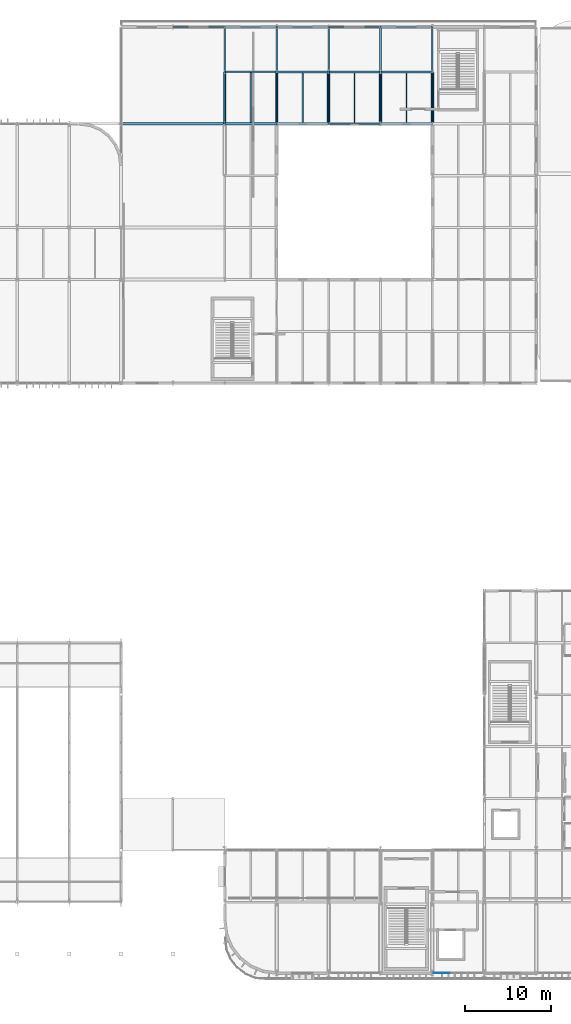
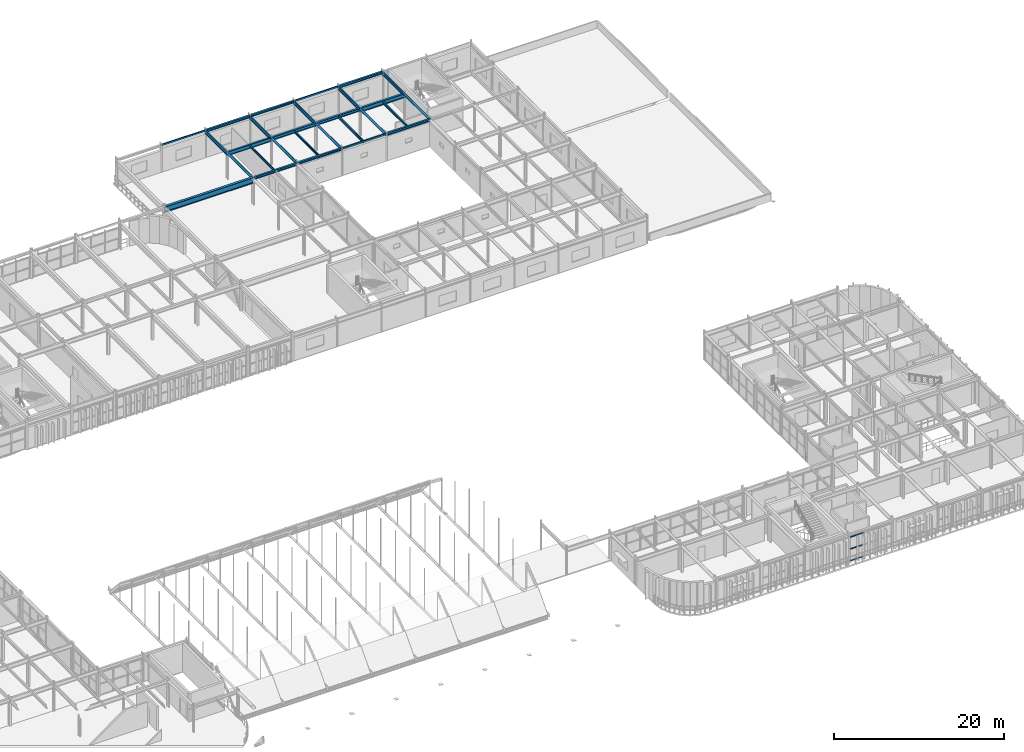
# One storey, part 71 of 116: 28 beams, 3 members, 1 element without a shape of its own.
"""IFC4 building model written with IfcOpenShell, lengths in metres."""

import ifcopenshell
import ifcopenshell.guid

model = None  # the IFC model being written
_history = None  # IfcOwnerHistory: only IFC2X3 demands one
_inside = {}  # id of a spatial element -> (the spatial element, [elements in it])
_under = {}  # id of a project, library or spatial element -> (it, [spatial elements below it])
_declared = {}  # id of a project -> (the project, [libraries it declares])
_typed = {}  # id of a type object -> (the type object, [elements of that type])
_made_of = {}  # id of a material, layer set ... -> (it, [elements and type objects made of it])


def new_model(schema):
    """Start an empty IFC model of exactly this schema.

    Asked for "IFC4X3", IfcOpenShell would pick the latest addendum, in which some entities
    have other attributes; the version numbers below select the first issue.
    IFC2X3 requires an IfcOwnerHistory on every rooted entity: one is made here for all.
    """
    global model, _history
    if schema == "IFC4X3":
        model = ifcopenshell.file(schema_version=(4, 3, 0, 0))
    else:
        model = ifcopenshell.file(schema=schema)
    _inside.clear()
    _under.clear()
    _declared.clear()
    _typed.clear()
    _made_of.clear()
    _history = None
    if model.schema == "IFC2X3":
        org = make("IfcOrganization", Name="unknown")
        user = make(
            "IfcPersonAndOrganization",
            ThePerson=make("IfcPerson", FamilyName="unknown"),
            TheOrganization=org,
        )
        app = make(
            "IfcApplication",
            ApplicationDeveloper=org,
            Version="unknown",
            ApplicationFullName="unknown",
            ApplicationIdentifier="unknown",
        )
        _history = make(
            "IfcOwnerHistory",
            OwningUser=user,
            OwningApplication=app,
            ChangeAction="ADDED",
            CreationDate=0,
        )
    return model


def make(cls, **values):
    """One entity of the class cls with the attributes given. An attribute that is None is left unset."""
    return model.create_entity(
        cls, **{name: value for name, value in values.items() if value is not None}
    )


def rooted(cls, **values):
    """An entity with a GlobalId (a new one), such as an element, a storey or a relation."""
    return make(cls, GlobalId=ifcopenshell.guid.new(), OwnerHistory=_history, **values)


def si_unit(unit_type, name, prefix=None):
    """IfcSIUnit, for example si_unit("LENGTHUNIT", "METRE", prefix="MILLI")."""
    return make("IfcSIUnit", UnitType=unit_type, Prefix=prefix, Name=name)


def assignment(units):
    """IfcUnitAssignment: the units of a project."""
    return None if units is None else make("IfcUnitAssignment", Units=units)


def point(xyz):
    """IfcCartesianPoint."""
    return None if xyz is None else make("IfcCartesianPoint", Coordinates=xyz)


def direction(xyz):
    """IfcDirection."""
    return None if xyz is None else make("IfcDirection", DirectionRatios=xyz)


def frame(location, z_axis=None, x_axis=None):
    """IfcAxis2Placement3D, a coordinate frame: its origin and axes. An axis left out is left unset."""
    return make(
        "IfcAxis2Placement3D",
        Location=point(location),
        Axis=direction(z_axis),
        RefDirection=direction(x_axis),
    )


def frame_2d(location, x_axis=None):
    """IfcAxis2Placement2D, a coordinate frame in the plane: its origin and x axis."""
    return make(
        "IfcAxis2Placement2D", Location=point(location), RefDirection=direction(x_axis)
    )


def origin():
    """The frame at (0, 0, 0) with its axes left unset."""
    return frame((0.0, 0.0, 0.0))


def origin_2d():
    """The frame at (0, 0) in the plane with its x axis left unset."""
    return frame_2d((0.0, 0.0))


def place(relative_to, where):
    """IfcLocalPlacement: puts the frame where relative to a parent placement (None: the world)."""
    return make(
        "IfcLocalPlacement", PlacementRelTo=relative_to, RelativePlacement=where
    )


def context(
    kind, dimensions, precision=None, world=None, true_north=None, identifier=None
):
    """IfcGeometricRepresentationContext, for example the 3D "Model" context."""
    return make(
        "IfcGeometricRepresentationContext",
        ContextIdentifier=identifier,
        ContextType=kind,
        CoordinateSpaceDimension=dimensions,
        Precision=precision,
        WorldCoordinateSystem=world,
        TrueNorth=true_north,
    )


def subcontext(parent, identifier, kind, view, scale=None):
    """IfcGeometricRepresentationSubContext, for example "Body" below "Model"."""
    return make(
        "IfcGeometricRepresentationSubContext",
        ContextIdentifier=identifier,
        ContextType=kind,
        ParentContext=parent,
        TargetScale=scale,
        TargetView=view,
    )


def project(units=None, contexts=None):
    """IfcProject with its units and contexts."""
    return rooted(
        "IfcProject",
        Name="project",
        RepresentationContexts=contexts,
        UnitsInContext=assignment(units),
    )


def spatial(cls, under=None, at=None, **own):
    """A site, building, storey or space (cls), placed at a placement, below another one or the project."""
    s = rooted(cls, ObjectPlacement=at, **own)
    if under is not None:
        _under.setdefault(under.id(), (under, []))[1].append(s)
    return s


def profile(cls, at=None, kind="AREA", **sizes):
    """A parametric profile (cls). Its sizes go by their IFC names, for example OverallWidth=200.0."""
    return make(cls, ProfileType=kind, Position=at, **sizes)


def rectangle(**sizes):
    """IfcRectangleProfileDef."""
    return profile("IfcRectangleProfileDef", **sizes)


def hollow_rectangle(**sizes):
    """IfcRectangleHollowProfileDef."""
    return profile("IfcRectangleHollowProfileDef", **sizes)


def hollow_circle(**sizes):
    """IfcCircleHollowProfileDef."""
    return profile("IfcCircleHollowProfileDef", **sizes)


def i_section(**sizes):
    """IfcIShapeProfileDef."""
    return profile("IfcIShapeProfileDef", **sizes)


def extrude(swept, where, along, depth):
    """IfcExtrudedAreaSolid: the profile swept, set in the frame where, extruded along a direction by depth."""
    return make(
        "IfcExtrudedAreaSolid",
        SweptArea=swept,
        Position=where,
        ExtrudedDirection=direction(along),
        Depth=depth,
    )


def shape(context_of_items, identifier, shape_type, items):
    """IfcShapeRepresentation: the items that make up one representation, for example the "Body"."""
    return make(
        "IfcShapeRepresentation",
        ContextOfItems=context_of_items,
        RepresentationIdentifier=identifier,
        RepresentationType=shape_type,
        Items=items,
    )


def material(Name=None, Category=None):
    """IfcMaterial."""
    return make("IfcMaterial", Name=Name, Category=Category)


def material_profile(
    of_material, cross_section, Name=None, Category=None, Priority=None
):
    """IfcMaterialProfile: a cross section and its material."""
    return make(
        "IfcMaterialProfile",
        Name=Name,
        Material=of_material,
        Profile=cross_section,
        Priority=Priority,
        Category=Category,
    )


def profile_set(profiles, Name=None, composite=None):
    """IfcMaterialProfileSet."""
    return make(
        "IfcMaterialProfileSet",
        Name=Name,
        MaterialProfiles=profiles,
        CompositeProfile=composite,
    )


def made_of(thing, what):
    """Note that an element or type object is made of a material, layer set ...; save() writes the relation."""
    if what is not None:
        _made_of.setdefault(what.id(), (what, []))[1].append(thing)
    return thing


def type_object(cls, material=None, **own):
    """A type object (cls), such as IfcWallType, which elements share."""
    return made_of(rooted(cls, **own), material)


def element(
    cls,
    number,
    at=None,
    inside=None,
    cuts=None,
    type_object=None,
    material=None,
    context=None,
    identifier="Body",
    shape_type=None,
    held_by="IfcProductDefinitionShape",
    body=None,
    shapes=None,
    **own,
):
    """One element of the class cls, such as IfcWall. Its Tag is "e" and its number.

    at: its placement. inside: the storey or other place that contains it. cuts: it is an
    opening in that element (IfcRelVoidsElement). A single representation is given by context,
    identifier, shape_type and body (its items); several are given by shapes. held_by: the class
    of the entity that holds the representations. save() writes the other relations.
    """
    e = rooted(cls, Tag="e%d" % number, ObjectPlacement=at, **own)
    if body is not None:
        shapes = [shape(context, identifier, shape_type, body)]
    if shapes is not None:
        e.Representation = make(held_by, Representations=shapes)
    if inside is not None:
        _inside.setdefault(inside.id(), (inside, []))[1].append(e)
    if cuts is not None:
        rooted(
            "IfcRelVoidsElement", RelatingBuildingElement=cuts, RelatedOpeningElement=e
        )
    if type_object is not None:
        _typed.setdefault(type_object.id(), (type_object, []))[1].append(e)
    return made_of(e, material)


def aggregate(whole, parts):
    """IfcRelAggregates: a whole, such as a stair, and the parts it consists of."""
    return rooted("IfcRelAggregates", RelatingObject=whole, RelatedObjects=parts)


def save(model, path):
    """Write the relations noted so far, then the file.

    IfcRelAggregates (storeys below a building ...), IfcRelContainedInSpatialStructure (elements
    in a storey), IfcRelDefinesByType, IfcRelAssociatesMaterial and IfcRelDeclares: one each for
    every whole, place, type object, material and project.
    """
    for whole, parts in _under.values():
        aggregate(whole, parts)
    for where, things in _inside.values():
        rooted(
            "IfcRelContainedInSpatialStructure",
            RelatedElements=things,
            RelatingStructure=where,
        )
    for kind, things in _typed.values():
        rooted("IfcRelDefinesByType", RelatedObjects=things, RelatingType=kind)
    for what, things in _made_of.values():
        rooted("IfcRelAssociatesMaterial", RelatedObjects=things, RelatingMaterial=what)
    for by, libraries in _declared.values():
        rooted("IfcRelDeclares", RelatingContext=by, RelatedDefinitions=libraries)
    model.write(path)


model = new_model("IFC4")

# Units and contexts
model_context = context("Model", 3, precision=1e-05, world=origin(), true_north=direction((0.0, 1.0)))
body_context = subcontext(model_context, "Body", "Model", "MODEL_VIEW")
ifc_project = project(units=[si_unit("LENGTHUNIT", "METRE"), si_unit("AREAUNIT", "SQUARE_METRE"), si_unit("VOLUMEUNIT", "CUBIC_METRE"), si_unit("PLANEANGLEUNIT", "RADIAN"), si_unit("MASSUNIT", "GRAM", prefix="KILO")], contexts=[model_context])

# Site, building, storey
site_placement = place(None, origin())
site = spatial("IfcSite", under=ifc_project, at=site_placement, CompositionType="ELEMENT")
building_placement = place(site_placement, origin())
building = spatial("IfcBuilding", under=site, at=building_placement, Name="Varnakota Square Police Headquarters", CompositionType="ELEMENT")
storey_placement = place(building_placement, frame((0.0, 0.0, 9.300048828125)))
storey = spatial("IfcBuildingStorey", under=building, at=storey_placement, Name="L02", CompositionType="ELEMENT", Elevation=9.300048828125)

# Beams
ifc_material_1 = material(Name="Steel IS 2062 Grade 350", Category="steel")
ifc_material_profile_1 = material_profile(ifc_material_1, hollow_circle(Radius=0.161865234375, WallThickness=0.0126953125, at=origin_2d()), Name="CHS 323.9x12.7")
ifc_profile_set_1 = profile_set([ifc_material_profile_1], Name="Steel IS 2062 Grade 350")
beam_type_1 = type_object("IfcBeamType", Name="BM-ARC-CHS324", PredefinedType="BEAM", material=ifc_profile_set_1)
for number, where, z_axis, x_axis, name in (
    (1, (108.0, 99.0, 3.738037109375), (0.0, 1.0, 0.0), (-1.0, 0.0, 0.0), "BMG-L02-2235"),
    (2, (114.0, 99.0, 3.738037109375), (0.0, 1.0, 0.0), (-1.0, 0.0, 0.0), "BMG-L02-2244"),
    (3, (120.0, 99.0, 3.738037109375), (0.0, 1.0, 0.0), (-1.0, 0.0, 0.0), "BMG-L02-2250"),
    (4, (126.0, 99.0, 3.738037109375), (0.0, 1.0, 0.0), (-1.0, 0.0, 0.0), "BMG-L02-2256"),
    (5, (132.0, 99.0, 3.738037109375), (0.0, 1.0, 0.0), (-1.0, 0.0, 0.0), "BMG-L02-2265"),
):
    element("IfcBeam", number, at=place(storey_placement, frame(where, z_axis=z_axis, x_axis=x_axis)), inside=storey, type_object=beam_type_1, Name=name, PredefinedType="BEAM", context=body_context, shape_type="SweptSolid", body=[
        extrude(hollow_circle(Radius=0.161865234375, WallThickness=0.0126953125, at=origin_2d()), origin(), (0.0, 0.0, 1.0), 6.0),
    ])
ifc_material_profile_2 = material_profile(ifc_material_1, i_section(OverallWidth=0.320068359375, OverallDepth=0.800048828125, WebThickness=0.01611328125, FlangeThickness=0.028076171875, at=origin_2d()), Name="BPG 800x320")
ifc_profile_set_2 = profile_set([ifc_material_profile_2], Name="Steel IS 2062 Grade 350")
beam_type_2 = type_object("IfcBeamType", Name="BM-BPG800", PredefinedType="BEAM", material=ifc_profile_set_2)
beam_1_placement = place(storey_placement, frame((96.0, 99.0, 3.5), z_axis=(1.0, 0.0, 0.0), x_axis=(0.0, 1.0, 0.0)))
element("IfcBeam", 6, at=beam_1_placement, inside=storey, type_object=beam_type_2, Name="BMG-L02-2074", PredefinedType="BEAM", context=body_context, shape_type="SweptSolid", body=[
    extrude(i_section(OverallWidth=0.320068359375, OverallDepth=0.800048828125, WebThickness=0.01611328125, FlangeThickness=0.028076171875, at=origin_2d()), origin(), (0.0, 0.0, 1.0), 12.0),
])
ifc_material_profile_3 = material_profile(ifc_material_1, hollow_rectangle(XDim=0.14990234375, YDim=0.25, WallThickness=0.010009765625, InnerFilletRadius=0.010009765625, OuterFilletRadius=0.02001953125, at=origin_2d()), Name="RHS 250x150x10")
ifc_profile_set_3 = profile_set([ifc_material_profile_3], Name="Steel IS 2062 Grade 350")
beam_type_3 = type_object("IfcBeamType", Name="BM-CBEAM-RHS250", PredefinedType="BEAM", material=ifc_profile_set_3)
for number, where, z_axis, x_axis, name in (
    (7, (120.0, 99.0, 3.77490234375), (1.0, 0.0, 0.0), (0.0, 1.0, 0.0), "BMG-L02-2077"),
    (8, (102.0, 110.199951171875, 3.77490234375), (1.0, 0.0, 0.0), (0.0, 1.0, 0.0), "BMG-L02-2097"),
    (9, (120.0, 110.199951171875, 3.77490234375), (1.0, 0.0, 0.0), (0.0, 1.0, 0.0), "BMG-L02-2100"),
):
    element("IfcBeam", number, at=place(storey_placement, frame(where, z_axis=z_axis, x_axis=x_axis)), inside=storey, type_object=beam_type_3, Name=name, PredefinedType="BEAM", context=body_context, shape_type="SweptSolid", body=[
        extrude(hollow_rectangle(XDim=0.14990234375, YDim=0.25, WallThickness=0.010009765625, InnerFilletRadius=0.010009765625, OuterFilletRadius=0.02001953125, at=origin_2d()), origin(), (0.0, 0.0, 1.0), 6.0),
    ])
ifc_material_profile_4 = material_profile(ifc_material_1, i_section(OverallWidth=0.25, OverallDepth=0.300048828125, WebThickness=0.009521484375, FlangeThickness=0.010498046875, FilletRadius=0.011962890625, at=origin_2d()), Name="ISHB 300")
ifc_profile_set_4 = profile_set([ifc_material_profile_4], Name="Steel IS 2062 Grade 350")
beam_type_4 = type_object("IfcBeamType", Name="BM-ISHB300", PredefinedType="BEAM", material=ifc_profile_set_4)
for number, where, z_axis, x_axis, name in (
    (10, (114.0, 99.0, 3.75), (1.0, 0.0, 0.0), (0.0, 1.0, 0.0), "BMG-L02-2076"),
    (11, (114.0, 110.199951171875, 3.75), (1.0, 0.0, 0.0), (0.0, 1.0, 0.0), "BMG-L02-2099"),
):
    element("IfcBeam", number, at=place(storey_placement, frame(where, z_axis=z_axis, x_axis=x_axis)), inside=storey, type_object=beam_type_4, Name=name, PredefinedType="BEAM", context=body_context, shape_type="SweptSolid", body=[
        extrude(i_section(OverallWidth=0.25, OverallDepth=0.300048828125, WebThickness=0.009521484375, FlangeThickness=0.010498046875, FilletRadius=0.011962890625, at=origin_2d()), origin(), (0.0, 0.0, 1.0), 6.0),
    ])
ifc_material_profile_5 = material_profile(ifc_material_1, i_section(OverallWidth=0.25, OverallDepth=0.35009765625, WebThickness=0.010009765625, FlangeThickness=0.01171875, FilletRadius=0.011962890625, at=origin_2d()), Name="ISHB 350")
ifc_profile_set_5 = profile_set([ifc_material_profile_5], Name="Steel IS 2062 Grade 350")
beam_type_5 = type_object("IfcBeamType", Name="BM-ISHB350", PredefinedType="BEAM", material=ifc_profile_set_5)
for number, where, z_axis, x_axis, name in (
    (12, (108.0, 99.0, 3.724853515625), (1.0, 0.0, 0.0), (0.0, 1.0, 0.0), "BMG-L02-2075"),
    (13, (126.0, 99.0, 3.724853515625), (1.0, 0.0, 0.0), (0.0, 1.0, 0.0), "BMG-L02-2078"),
    (14, (108.0, 110.199951171875, 3.724853515625), (1.0, 0.0, 0.0), (0.0, 1.0, 0.0), "BMG-L02-2098"),
    (15, (126.0, 110.199951171875, 3.724853515625), (1.0, 0.0, 0.0), (0.0, 1.0, 0.0), "BMG-L02-2101"),
):
    element("IfcBeam", number, at=place(storey_placement, frame(where, z_axis=z_axis, x_axis=x_axis)), inside=storey, type_object=beam_type_5, Name=name, PredefinedType="BEAM", context=body_context, shape_type="SweptSolid", body=[
        extrude(i_section(OverallWidth=0.25, OverallDepth=0.35009765625, WebThickness=0.010009765625, FlangeThickness=0.01171875, FilletRadius=0.011962890625, at=origin_2d()), origin(), (0.0, 0.0, 1.0), 6.0),
    ])
ifc_material_profile_6 = material_profile(ifc_material_1, i_section(OverallWidth=0.25, OverallDepth=0.39990234375, WebThickness=0.010498046875, FlangeThickness=0.0126953125, FilletRadius=0.013916015625, at=origin_2d()), Name="ISHB 400")
ifc_profile_set_6 = profile_set([ifc_material_profile_6], Name="Steel IS 2062 Grade 350")
beam_type_6 = type_object("IfcBeamType", Name="BM-ISHB400", PredefinedType="BEAM", material=ifc_profile_set_6)
beam_2_placement = place(storey_placement, frame((120.0, 105.0, 3.699951171875), z_axis=(1.0, 0.0, 0.0), x_axis=(0.0, 1.0, 0.0)))
element("IfcBeam", 16, at=beam_2_placement, inside=storey, type_object=beam_type_6, Name="BMG-L02-2087", PredefinedType="BEAM", context=body_context, shape_type="SweptSolid", body=[
    extrude(i_section(OverallWidth=0.25, OverallDepth=0.39990234375, WebThickness=0.010498046875, FlangeThickness=0.0126953125, FilletRadius=0.013916015625, at=origin_2d()), origin(), (0.0, 0.0, 1.0), 6.0),
])
ifc_material_profile_7 = material_profile(ifc_material_1, i_section(OverallWidth=0.25, OverallDepth=0.449951171875, WebThickness=0.01123046875, FlangeThickness=0.013671875, FilletRadius=0.014892578125, at=origin_2d()), Name="ISHB 450")
ifc_profile_set_7 = profile_set([ifc_material_profile_7], Name="Steel IS 2062 Grade 350")
beam_type_7 = type_object("IfcBeamType", Name="BM-ISHB450", PredefinedType="BEAM", material=ifc_profile_set_7)
beam_3_placement = place(storey_placement, frame((114.0, 105.0, 3.675048828125), z_axis=(1.0, 0.0, 0.0), x_axis=(0.0, 1.0, 0.0)))
element("IfcBeam", 17, at=beam_3_placement, inside=storey, type_object=beam_type_7, Name="BMG-L02-2086", PredefinedType="BEAM", context=body_context, shape_type="SweptSolid", body=[
    extrude(i_section(OverallWidth=0.25, OverallDepth=0.449951171875, WebThickness=0.01123046875, FlangeThickness=0.013671875, FilletRadius=0.014892578125, at=origin_2d()), origin(), (0.0, 0.0, 1.0), 6.0),
])
ifc_material_profile_8 = material_profile(ifc_material_1, i_section(OverallWidth=0.139892578125, OverallDepth=0.300048828125, WebThickness=0.0078125, FlangeThickness=0.01318359375, FilletRadius=0.013916015625, at=origin_2d()), Name="ISMB 300")
ifc_profile_set_8 = profile_set([ifc_material_profile_8], Name="Steel IS 2062 Grade 350")
beam_type_8 = type_object("IfcBeamType", Name="BM-ISMB300", PredefinedType="JOIST", material=ifc_profile_set_8)
beam_4_placement = place(storey_placement, frame((117.0, 99.123046875, 3.75), z_axis=(0.0, 1.0, 0.0), x_axis=(-1.0, 0.0, 0.0)))
element("IfcBeam", 18, at=beam_4_placement, inside=storey, type_object=beam_type_8, Name="BMG-L02-2387", PredefinedType="JOIST", context=body_context, shape_type="SweptSolid", body=[
    extrude(i_section(OverallWidth=0.139892578125, OverallDepth=0.300048828125, WebThickness=0.0078125, FlangeThickness=0.01318359375, FilletRadius=0.013916015625, at=origin_2d()), origin(), (0.0, 0.0, 1.0), 5.75390625),
])
ifc_material_profile_9 = material_profile(ifc_material_1, i_section(OverallWidth=0.139892578125, OverallDepth=0.35009765625, WebThickness=0.008056640625, FlangeThickness=0.01416015625, FilletRadius=0.013916015625, at=origin_2d()), Name="ISMB 350")
ifc_profile_set_9 = profile_set([ifc_material_profile_9], Name="Steel IS 2062 Grade 350")
beam_type_9 = type_object("IfcBeamType", Name="BM-ISMB350", PredefinedType="JOIST", material=ifc_profile_set_9)
beam_5_placement = place(storey_placement, frame((111.0, 99.123046875, 3.724853515625), z_axis=(0.0, 1.0, 0.0), x_axis=(-1.0, 0.0, 0.0)))
element("IfcBeam", 19, at=beam_5_placement, inside=storey, type_object=beam_type_9, Name="BMG-L02-2383", PredefinedType="JOIST", context=body_context, shape_type="SweptSolid", body=[
    extrude(i_section(OverallWidth=0.139892578125, OverallDepth=0.35009765625, WebThickness=0.008056640625, FlangeThickness=0.01416015625, FilletRadius=0.013916015625, at=origin_2d()), origin(), (0.0, 0.0, 1.0), 5.783935546875),
])
beam_6_placement = place(storey_placement, frame((129.0, 99.123046875, 3.724853515625), z_axis=(0.0, 1.0, 0.0), x_axis=(-1.0, 0.0, 0.0)))
element("IfcBeam", 20, at=beam_6_placement, inside=storey, type_object=beam_type_9, Name="BMG-L02-2394", PredefinedType="JOIST", context=body_context, shape_type="SweptSolid", body=[
    extrude(i_section(OverallWidth=0.139892578125, OverallDepth=0.35009765625, WebThickness=0.008056640625, FlangeThickness=0.01416015625, FilletRadius=0.013916015625, at=origin_2d()), origin(), (0.0, 0.0, 1.0), 5.75390625),
])
ifc_material_profile_10 = material_profile(ifc_material_1, i_section(OverallWidth=0.139892578125, OverallDepth=0.39990234375, WebThickness=0.0087890625, FlangeThickness=0.01611328125, FilletRadius=0.013916015625, at=origin_2d()), Name="ISMB 400")
ifc_profile_set_10 = profile_set([ifc_material_profile_10], Name="Steel IS 2062 Grade 350")
beam_type_10 = type_object("IfcBeamType", Name="BM-ISMB400", PredefinedType="JOIST", material=ifc_profile_set_10)
beam_7_placement = place(storey_placement, frame((123.0, 99.072998046875, 3.699951171875), z_axis=(0.0, 1.0, 0.0), x_axis=(-1.0, 0.0, 0.0)))
element("IfcBeam", 21, at=beam_7_placement, inside=storey, type_object=beam_type_10, Name="BMG-L02-2391", PredefinedType="JOIST", context=body_context, shape_type="SweptSolid", body=[
    extrude(i_section(OverallWidth=0.139892578125, OverallDepth=0.39990234375, WebThickness=0.0087890625, FlangeThickness=0.01611328125, FilletRadius=0.013916015625, at=origin_2d()), origin(), (0.0, 0.0, 1.0), 5.803955078125),
])
ifc_material_profile_11 = material_profile(ifc_material_1, i_section(OverallWidth=0.179931640625, OverallDepth=0.5, WebThickness=0.01025390625, FlangeThickness=0.01708984375, FilletRadius=0.01708984375, at=origin_2d()), Name="ISMB 500")
ifc_profile_set_11 = profile_set([ifc_material_profile_11], Name="Steel IS 2062 Grade 350")
beam_type_11 = type_object("IfcBeamType", Name="BM-ISMB500", PredefinedType="BEAM", material=ifc_profile_set_11)
for number, where, z_axis, x_axis, name in (
    (22, (108.0, 105.0, 3.64990234375), (0.0, 1.0, 0.0), (-1.0, 0.0, 0.0), "BMG-L02-2236"),
    (23, (114.0, 105.0, 3.64990234375), (0.0, 1.0, 0.0), (-1.0, 0.0, 0.0), "BMG-L02-2245"),
    (24, (120.0, 105.0, 3.64990234375), (0.0, 1.0, 0.0), (-1.0, 0.0, 0.0), "BMG-L02-2251"),
    (25, (126.0, 105.0, 3.64990234375), (0.0, 1.0, 0.0), (-1.0, 0.0, 0.0), "BMG-L02-2257"),
    (26, (132.0, 105.0, 3.64990234375), (0.0, 1.0, 0.0), (-1.0, 0.0, 0.0), "BMG-L02-2266"),
):
    element("IfcBeam", number, at=place(storey_placement, frame(where, z_axis=z_axis, x_axis=x_axis)), inside=storey, type_object=beam_type_11, Name=name, PredefinedType="BEAM", context=body_context, shape_type="SweptSolid", body=[
        extrude(i_section(OverallWidth=0.179931640625, OverallDepth=0.5, WebThickness=0.01025390625, FlangeThickness=0.01708984375, FilletRadius=0.01708984375, at=origin_2d()), origin(), (0.0, 0.0, 1.0), 5.199951171875),
    ])
ifc_material_profile_12 = material_profile(ifc_material_1, i_section(OverallWidth=0.18994140625, OverallDepth=0.550048828125, WebThickness=0.01123046875, FlangeThickness=0.019287109375, FilletRadius=0.01806640625, at=origin_2d()), Name="ISMB 550")
ifc_profile_set_12 = profile_set([ifc_material_profile_12], Name="Steel IS 2062 Grade 350")
beam_type_12 = type_object("IfcBeamType", Name="BM-ISMB550", PredefinedType="BEAM", material=ifc_profile_set_12)
beam_8_placement = place(storey_placement, frame((108.0, 105.0, 3.625), z_axis=(1.0, 0.0, 0.0), x_axis=(0.0, 1.0, 0.0)))
element("IfcBeam", 27, at=beam_8_placement, inside=storey, type_object=beam_type_12, Name="BMG-L02-2085", PredefinedType="BEAM", context=body_context, shape_type="SweptSolid", body=[
    extrude(i_section(OverallWidth=0.18994140625, OverallDepth=0.550048828125, WebThickness=0.01123046875, FlangeThickness=0.019287109375, FilletRadius=0.01806640625, at=origin_2d()), origin(), (0.0, 0.0, 1.0), 6.0),
])
ifc_material_profile_13 = material_profile(ifc_material_1, i_section(OverallWidth=0.25, OverallDepth=0.60009765625, WebThickness=0.01171875, FlangeThickness=0.023681640625, FilletRadius=0.01708984375, at=origin_2d()), Name="ISWB 600")
ifc_profile_set_13 = profile_set([ifc_material_profile_13], Name="Steel IS 2062 Grade 350")
beam_type_13 = type_object("IfcBeamType", Name="BM-ISWB600", PredefinedType="BEAM", material=ifc_profile_set_13)
beam_9_placement = place(storey_placement, frame((126.0, 105.0, 3.599853515625), z_axis=(1.0, 0.0, 0.0), x_axis=(0.0, 1.0, 0.0)))
element("IfcBeam", 28, at=beam_9_placement, inside=storey, type_object=beam_type_13, Name="BMG-L02-2088", PredefinedType="BEAM", context=body_context, shape_type="SweptSolid", body=[
    extrude(i_section(OverallWidth=0.25, OverallDepth=0.60009765625, WebThickness=0.01171875, FlangeThickness=0.023681640625, FilletRadius=0.01708984375, at=origin_2d()), origin(), (0.0, 0.0, 1.0), 6.0),
])

# Curtain wall, members
ifc_material_2 = material(Name="Anodised Aluminium Framing", Category="aluminium")
curtain_wall_type = type_object("IfcCurtainWallType", Name="CW-SYS-B", PredefinedType="NOTDEFINED", material=ifc_material_2)
curtain_wall_placement = place(storey_placement, origin())
curtain_wall = element("IfcCurtainWall", 29, at=curtain_wall_placement, inside=storey, type_object=curtain_wall_type, Name="Unitised curtain wall CWG-L02-067", PredefinedType="NOTDEFINED")
ifc_material_3 = material(Name="Anodised Aluminium 6063-T6", Category="aluminium")
ifc_material_profile_14 = material_profile(ifc_material_3, rectangle(XDim=0.06494140625, YDim=0.1298828125, at=origin_2d()), Name="ALU TRANSOM 65x130")
ifc_profile_set_14 = profile_set([ifc_material_profile_14], Name="Anodised Aluminium 6063-T6")
member_type = type_object("IfcMemberType", Name="CWT-120", PredefinedType="USERDEFINED", material=ifc_profile_set_14)
member_1_placement = place(storey_placement, frame((132.175048828125, 0.800048828125, 0.032470703125), z_axis=(1.0, 0.0, 0.0), x_axis=(0.0, 1.0, 0.0)))
member_1 = element("IfcMember", 30, at=member_1_placement, type_object=member_type, Name="CWG-L02-067 transom 1.1", ObjectType="TRANSOM", PredefinedType="USERDEFINED", context=body_context, shape_type="SweptSolid", body=[
    extrude(rectangle(XDim=0.06494140625, YDim=0.1298828125, at=origin_2d()), origin(), (0.0, 0.0, 1.0), 1.810791015625),
])
member_2_placement = place(storey_placement, frame((132.175048828125, 0.800048828125, 1.74169921875), z_axis=(1.0, 0.0, 0.0), x_axis=(0.0, 1.0, 0.0)))
member_2 = element("IfcMember", 31, at=member_2_placement, type_object=member_type, Name="CWG-L02-067 transom 1.2", ObjectType="TRANSOM", PredefinedType="USERDEFINED", context=body_context, shape_type="SweptSolid", body=[
    extrude(rectangle(XDim=0.06494140625, YDim=0.1298828125, at=origin_2d()), origin(), (0.0, 0.0, 1.0), 1.810791015625),
])
member_3_placement = place(storey_placement, frame((132.175048828125, 0.800048828125, 3.451171875), z_axis=(1.0, 0.0, 0.0), x_axis=(0.0, 1.0, 0.0)))
member_3 = element("IfcMember", 32, at=member_3_placement, type_object=member_type, Name="CWG-L02-067 transom 1.3", ObjectType="TRANSOM", PredefinedType="USERDEFINED", context=body_context, shape_type="SweptSolid", body=[
    extrude(rectangle(XDim=0.06494140625, YDim=0.1298828125, at=origin_2d()), origin(), (0.0, 0.0, 1.0), 1.810791015625),
])
aggregate(curtain_wall, [member_1, member_2, member_3])

save(model, "model.ifc")
